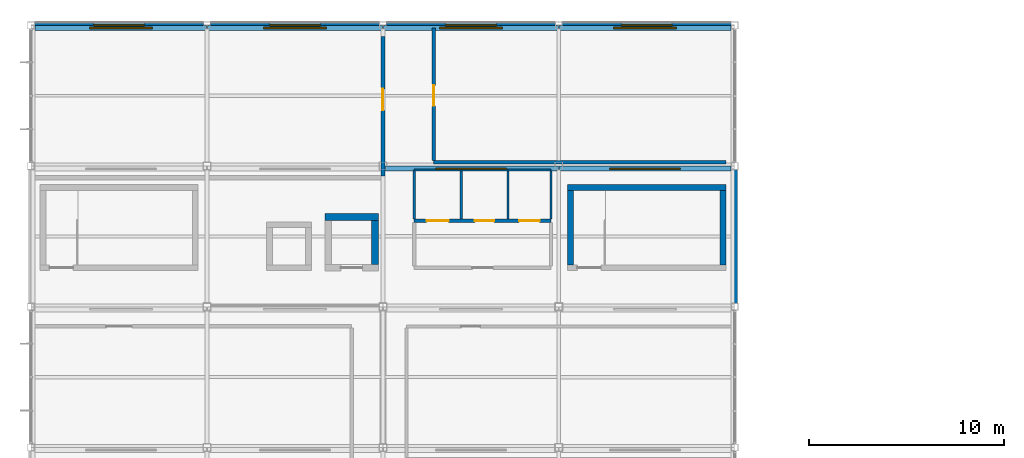
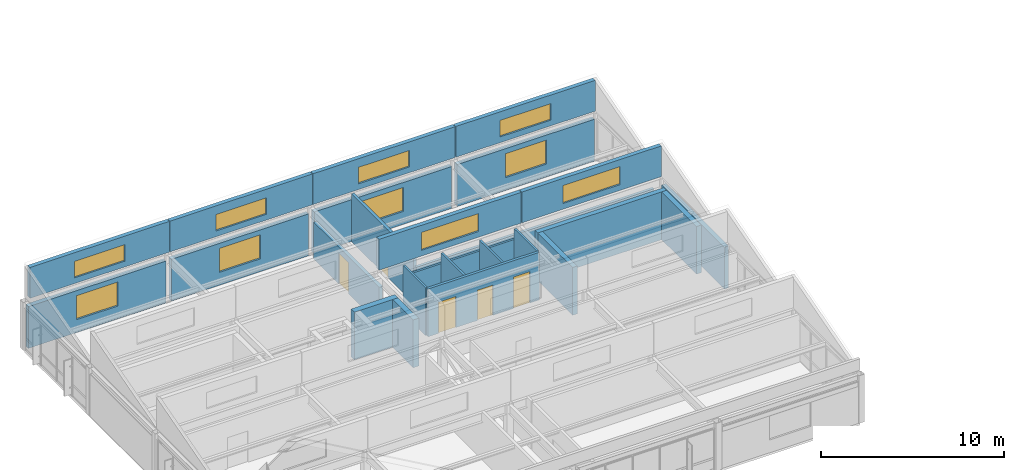
# One storey, part 36 of 43: 27 walls, 10 windows, 5 doors, 15 openings.
"""IFC4 building model written with IfcOpenShell, lengths in metres."""

from ifc_helpers import new_model, si_unit, direction, frame, frame_2d, origin, place, context, subcontext, project, spatial, rectangle, extrude, material, layer, layer_set, type_object, element, fill, save


model = new_model("IFC4")

# Units and contexts
model_context = context("Model", 3, precision=1e-05, world=origin(), true_north=direction((0.0, 1.0)))
body_context = subcontext(model_context, "Body", "Model", "MODEL_VIEW")
ifc_project = project(units=[si_unit("LENGTHUNIT", "METRE"), si_unit("AREAUNIT", "SQUARE_METRE"), si_unit("VOLUMEUNIT", "CUBIC_METRE"), si_unit("PLANEANGLEUNIT", "RADIAN"), si_unit("MASSUNIT", "GRAM", prefix="KILO")], contexts=[model_context])

# Site, building, storey
site_placement = place(None, origin())
site = spatial("IfcSite", under=ifc_project, at=site_placement, CompositionType="ELEMENT")
building_placement = place(site_placement, origin())
building = spatial("IfcBuilding", under=site, at=building_placement, Name="Kazanami Central Library", CompositionType="ELEMENT")
storey_placement = place(building_placement, frame((0.0, 0.0, 20.60009765625)))
storey = spatial("IfcBuildingStorey", under=building, at=storey_placement, Name="L06", CompositionType="ELEMENT", Elevation=20.60009765625)

# Wall, opening, window
ifc_material_1 = material(Name="Concrete Fc36 (36 MPa)", Category="concrete")
ifc_layer_1 = layer(ifc_material_1, 0.179931640625, Name="Concrete Fc36 (36 MPa)")
ifc_material_2 = material(Name="Extruded Polystyrene XPS", Category="earth")
ifc_layer_2 = layer(ifc_material_2, 0.050048828125, Name="Extruded Polystyrene XPS")
ifc_material_3 = material(Name="Honed Inada Granite", Category="masonry")
ifc_layer_3 = layer(ifc_material_3, 0.030029296875, Name="Honed Inada Granite")
ifc_layer_set_1 = layer_set([ifc_layer_1, ifc_layer_2, ifc_layer_3], Name="Concrete Fc36 (36 MPa)")
wall_type_1 = type_object("IfcWallType", Name="WAL-EW-260", PredefinedType="STANDARD", material=ifc_layer_set_1)
wall_1_placement = place(storey_placement, frame((26.97998046875, 86.27001953125, 3.39990234375), z_axis=(0.0, 0.0, 1.0), x_axis=(-1.0, 0.0, 0.0)))
wall_1 = element("IfcWall", 1, at=wall_1_placement, inside=storey, type_object=wall_type_1, Name="North-Light Sawtooth Clerestory Wall SAW-L06-V4-3 Bay 3", PredefinedType="STANDARD", context=body_context, shape_type="SweptSolid", body=[
    extrude(rectangle(XDim=8.9599609375, YDim=0.260009765625, at=frame_2d((4.47998046875, 0.0))), origin(), (0.0, 0.0, 1.0), 2.050048828125),
])
opening_1_placement = place(wall_1_placement, frame((2.679931640625, 0.0, 0.3798828125)))
opening_1 = element("IfcOpeningElement", 2, at=opening_1_placement, cuts=wall_1, Name="Opening WN-CL1", PredefinedType="OPENING", context=body_context, shape_type="SweptSolid", body=[
    extrude(rectangle(XDim=3.60009765625, YDim=1.199951171875, at=frame_2d((1.800048828125, 0.60009765625))), frame((0.0, 0.14208984375, 0.0), z_axis=(0.0, -1.0, 0.0), x_axis=(1.0, 0.0, 0.0)), (0.0, 0.0, 1.0), 0.283935546875),
])
ifc_material_4 = material(Name="Low-E Insulated Triple Glass", Category="glass")
window_type_1 = type_object("IfcWindowType", Name="WIN-WN-CL1", PartitioningType="DOUBLE_PANEL_VERTICAL", PredefinedType="WINDOW", material=ifc_material_4)
window_1_placement = place(opening_1_placement, origin())
window_1 = element("IfcWindow", 3, at=window_1_placement, inside=storey, type_object=window_type_1, Name="North-Light Sawtooth Clerestory Window WN-CL1 SAW-L06-V4-3.3", OverallHeight=1.199951171875, OverallWidth=3.60009765625, PartitioningType="DOUBLE_PANEL_VERTICAL", PredefinedType="WINDOW", context=body_context, shape_type="SweptSolid", body=[
    extrude(rectangle(XDim=3.60009765625, YDim=1.199951171875, at=frame_2d((1.800048828125, 0.60009765625))), frame((0.0, 0.030029296875, 0.0), z_axis=(0.0, -1.0, 0.0), x_axis=(1.0, 0.0, 0.0)), (0.0, 0.0, 1.0), 0.06005859375),
])
fill(opening_1, window_1)

wall_2_placement = place(storey_placement, frame((35.800048828125, 86.27001953125, 3.39990234375), z_axis=(0.0, 0.0, 1.0), x_axis=(-1.0, 0.0, 0.0)))
wall_2 = element("IfcWall", 4, at=wall_2_placement, inside=storey, type_object=wall_type_1, Name="North-Light Sawtooth Clerestory Wall SAW-L06-V4-3 Bay 4", PredefinedType="STANDARD", context=body_context, shape_type="SweptSolid", body=[
    extrude(rectangle(XDim=8.780029296875, YDim=0.260009765625, at=frame_2d((4.39013671875, 0.0))), origin(), (0.0, 0.0, 1.0), 2.050048828125),
])
opening_2_placement = place(wall_2_placement, frame((2.590087890625, 0.0, 0.3798828125)))
opening_2 = element("IfcOpeningElement", 5, at=opening_2_placement, cuts=wall_2, Name="Opening WN-CL1", PredefinedType="OPENING", context=body_context, shape_type="SweptSolid", body=[
    extrude(rectangle(XDim=3.60009765625, YDim=1.199951171875, at=frame_2d((1.800048828125, 0.60009765625))), frame((0.0, 0.14208984375, 0.0), z_axis=(0.0, -1.0, 0.0), x_axis=(1.0, 0.0, 0.0)), (0.0, 0.0, 1.0), 0.283935546875),
])
window_2_placement = place(opening_2_placement, origin())
window_2 = element("IfcWindow", 6, at=window_2_placement, inside=storey, type_object=window_type_1, Name="North-Light Sawtooth Clerestory Window WN-CL1 SAW-L06-V4-3.4", OverallHeight=1.199951171875, OverallWidth=3.60009765625, PartitioningType="DOUBLE_PANEL_VERTICAL", PredefinedType="WINDOW", context=body_context, shape_type="SweptSolid", body=[
    extrude(rectangle(XDim=3.60009765625, YDim=1.199951171875, at=frame_2d((1.800048828125, 0.60009765625))), frame((0.0, 0.030029296875, 0.0), z_axis=(0.0, -1.0, 0.0), x_axis=(1.0, 0.0, 0.0)), (0.0, 0.0, 1.0), 0.06005859375),
])
fill(opening_2, window_2)

wall_3_placement = place(storey_placement, frame((8.97998046875, 93.469970703125, 3.39990234375), z_axis=(0.0, 0.0, 1.0), x_axis=(-1.0, 0.0, 0.0)))
wall_3 = element("IfcWall", 7, at=wall_3_placement, inside=storey, type_object=wall_type_1, Name="North-Light Sawtooth Clerestory Wall SAW-L06-V4-4 Bay 1", PredefinedType="STANDARD", context=body_context, shape_type="SweptSolid", body=[
    extrude(rectangle(XDim=8.780029296875, YDim=0.260009765625, at=frame_2d((4.39013671875, 0.0))), origin(), (0.0, 0.0, 1.0), 2.050048828125),
])
opening_3_placement = place(wall_3_placement, frame((2.7900390625, 0.0, 0.3798828125)))
opening_3 = element("IfcOpeningElement", 8, at=opening_3_placement, cuts=wall_3, Name="Opening WN-CL2", PredefinedType="OPENING", context=body_context, shape_type="SweptSolid", body=[
    extrude(rectangle(XDim=3.199951171875, YDim=1.10009765625, at=frame_2d((1.60009765625, 0.550048828125))), frame((0.0, 0.14208984375, 0.0), z_axis=(0.0, -1.0, 0.0), x_axis=(1.0, 0.0, 0.0)), (0.0, 0.0, 1.0), 0.283935546875),
])
window_type_2 = type_object("IfcWindowType", Name="WIN-WN-CL2", PartitioningType="DOUBLE_PANEL_VERTICAL", PredefinedType="WINDOW", material=ifc_material_4)
window_3_placement = place(opening_3_placement, origin())
window_3 = element("IfcWindow", 9, at=window_3_placement, inside=storey, type_object=window_type_2, Name="North-Light Sawtooth Clerestory Window WN-CL2 SAW-L06-V4-4.1", OverallHeight=1.10009765625, OverallWidth=3.199951171875, PartitioningType="DOUBLE_PANEL_VERTICAL", PredefinedType="WINDOW", context=body_context, shape_type="SweptSolid", body=[
    extrude(rectangle(XDim=3.199951171875, YDim=1.10009765625, at=frame_2d((1.60009765625, 0.550048828125))), frame((0.0, 0.030029296875, 0.0), z_axis=(0.0, -1.0, 0.0), x_axis=(1.0, 0.0, 0.0)), (0.0, 0.0, 1.0), 0.06005859375),
])
fill(opening_3, window_3)

wall_4_placement = place(storey_placement, frame((17.97998046875, 93.469970703125, 3.39990234375), z_axis=(0.0, 0.0, 1.0), x_axis=(-1.0, 0.0, 0.0)))
wall_4 = element("IfcWall", 10, at=wall_4_placement, inside=storey, type_object=wall_type_1, Name="North-Light Sawtooth Clerestory Wall SAW-L06-V4-4 Bay 2", PredefinedType="STANDARD", context=body_context, shape_type="SweptSolid", body=[
    extrude(rectangle(XDim=8.9599609375, YDim=0.260009765625, at=frame_2d((4.47998046875, 0.0))), origin(), (0.0, 0.0, 1.0), 2.050048828125),
])
opening_4_placement = place(wall_4_placement, frame((2.8798828125, 0.0, 0.3798828125)))
opening_4 = element("IfcOpeningElement", 11, at=opening_4_placement, cuts=wall_4, Name="Opening WN-CL2", PredefinedType="OPENING", context=body_context, shape_type="SweptSolid", body=[
    extrude(rectangle(XDim=3.199951171875, YDim=1.10009765625, at=frame_2d((1.60009765625, 0.550048828125))), frame((0.0, 0.14208984375, 0.0), z_axis=(0.0, -1.0, 0.0), x_axis=(1.0, 0.0, 0.0)), (0.0, 0.0, 1.0), 0.283935546875),
])
window_4_placement = place(opening_4_placement, origin())
window_4 = element("IfcWindow", 12, at=window_4_placement, inside=storey, type_object=window_type_2, Name="North-Light Sawtooth Clerestory Window WN-CL2 SAW-L06-V4-4.2", OverallHeight=1.10009765625, OverallWidth=3.199951171875, PartitioningType="DOUBLE_PANEL_VERTICAL", PredefinedType="WINDOW", context=body_context, shape_type="SweptSolid", body=[
    extrude(rectangle(XDim=3.199951171875, YDim=1.10009765625, at=frame_2d((1.60009765625, 0.550048828125))), frame((0.0, 0.030029296875, 0.0), z_axis=(0.0, -1.0, 0.0), x_axis=(1.0, 0.0, 0.0)), (0.0, 0.0, 1.0), 0.06005859375),
])
fill(opening_4, window_4)

wall_5_placement = place(storey_placement, frame((26.97998046875, 93.469970703125, 3.39990234375), z_axis=(0.0, 0.0, 1.0), x_axis=(-1.0, 0.0, 0.0)))
wall_5 = element("IfcWall", 13, at=wall_5_placement, inside=storey, type_object=wall_type_1, Name="North-Light Sawtooth Clerestory Wall SAW-L06-V4-4 Bay 3", PredefinedType="STANDARD", context=body_context, shape_type="SweptSolid", body=[
    extrude(rectangle(XDim=8.9599609375, YDim=0.260009765625, at=frame_2d((4.47998046875, 0.0))), origin(), (0.0, 0.0, 1.0), 2.050048828125),
])
opening_5_placement = place(wall_5_placement, frame((2.8798828125, 0.0, 0.3798828125)))
opening_5 = element("IfcOpeningElement", 14, at=opening_5_placement, cuts=wall_5, Name="Opening WN-CL2", PredefinedType="OPENING", context=body_context, shape_type="SweptSolid", body=[
    extrude(rectangle(XDim=3.199951171875, YDim=1.10009765625, at=frame_2d((1.60009765625, 0.550048828125))), frame((0.0, 0.14208984375, 0.0), z_axis=(0.0, -1.0, 0.0), x_axis=(1.0, 0.0, 0.0)), (0.0, 0.0, 1.0), 0.283935546875),
])
window_5_placement = place(opening_5_placement, origin())
window_5 = element("IfcWindow", 15, at=window_5_placement, inside=storey, type_object=window_type_2, Name="North-Light Sawtooth Clerestory Window WN-CL2 SAW-L06-V4-4.3", OverallHeight=1.10009765625, OverallWidth=3.199951171875, PartitioningType="DOUBLE_PANEL_VERTICAL", PredefinedType="WINDOW", context=body_context, shape_type="SweptSolid", body=[
    extrude(rectangle(XDim=3.199951171875, YDim=1.10009765625, at=frame_2d((1.60009765625, 0.550048828125))), frame((0.0, 0.030029296875, 0.0), z_axis=(0.0, -1.0, 0.0), x_axis=(1.0, 0.0, 0.0)), (0.0, 0.0, 1.0), 0.06005859375),
])
fill(opening_5, window_5)

wall_6_placement = place(storey_placement, frame((35.800048828125, 93.469970703125, 3.39990234375), z_axis=(0.0, 0.0, 1.0), x_axis=(-1.0, 0.0, 0.0)))
wall_6 = element("IfcWall", 16, at=wall_6_placement, inside=storey, type_object=wall_type_1, Name="North-Light Sawtooth Clerestory Wall SAW-L06-V4-4 Bay 4", PredefinedType="STANDARD", context=body_context, shape_type="SweptSolid", body=[
    extrude(rectangle(XDim=8.780029296875, YDim=0.260009765625, at=frame_2d((4.39013671875, 0.0))), origin(), (0.0, 0.0, 1.0), 2.050048828125),
])
opening_6_placement = place(wall_6_placement, frame((2.7900390625, 0.0, 0.3798828125)))
opening_6 = element("IfcOpeningElement", 17, at=opening_6_placement, cuts=wall_6, Name="Opening WN-CL2", PredefinedType="OPENING", context=body_context, shape_type="SweptSolid", body=[
    extrude(rectangle(XDim=3.199951171875, YDim=1.10009765625, at=frame_2d((1.60009765625, 0.550048828125))), frame((0.0, 0.14208984375, 0.0), z_axis=(0.0, -1.0, 0.0), x_axis=(1.0, 0.0, 0.0)), (0.0, 0.0, 1.0), 0.283935546875),
])
window_6_placement = place(opening_6_placement, origin())
window_6 = element("IfcWindow", 18, at=window_6_placement, inside=storey, type_object=window_type_2, Name="North-Light Sawtooth Clerestory Window WN-CL2 SAW-L06-V4-4.4", OverallHeight=1.10009765625, OverallWidth=3.199951171875, PartitioningType="DOUBLE_PANEL_VERTICAL", PredefinedType="WINDOW", context=body_context, shape_type="SweptSolid", body=[
    extrude(rectangle(XDim=3.199951171875, YDim=1.10009765625, at=frame_2d((1.60009765625, 0.550048828125))), frame((0.0, 0.030029296875, 0.0), z_axis=(0.0, -1.0, 0.0), x_axis=(1.0, 0.0, 0.0)), (0.0, 0.0, 1.0), 0.06005859375),
])
fill(opening_6, window_6)

ifc_layer_4 = layer(ifc_material_1, 0.199951171875, Name="Concrete Fc36 (36 MPa)")
ifc_layer_5 = layer(ifc_material_2, 0.050048828125, Name="Extruded Polystyrene XPS")
ifc_layer_6 = layer(ifc_material_3, 0.030029296875, Name="Honed Inada Granite")
ifc_layer_set_2 = layer_set([ifc_layer_4, ifc_layer_5, ifc_layer_6], Name="Concrete Fc36 (36 MPa)")
wall_type_2 = type_object("IfcWallType", Name="WAL-EW-280", PredefinedType="STANDARD", material=ifc_layer_set_2)
wall_7_placement = place(storey_placement, frame((8.824951171875, 93.60009765625, 0.0), z_axis=(0.0, 0.0, 1.0), x_axis=(-1.0, 0.0, 0.0)))
wall_7 = element("IfcWall", 19, at=wall_7_placement, inside=storey, type_object=wall_type_2, Name="Exterior Facade Wall EW-280 L06 N-O-00", PredefinedType="STANDARD", context=body_context, shape_type="SweptSolid", body=[
    extrude(rectangle(XDim=8.64990234375, YDim=0.280029296875, at=frame_2d((4.324951171875, 0.0))), origin(), (0.0, 0.0, 1.0), 2.77978515625),
])
opening_7_placement = place(wall_7_placement, frame((3.02490234375, 0.0, 0.85009765625)))
opening_7 = element("IfcOpeningElement", 20, at=opening_7_placement, cuts=wall_7, Name="Opening WN-13", PredefinedType="OPENING", context=body_context, shape_type="SweptSolid", body=[
    extrude(rectangle(XDim=2.60009765625, YDim=1.60009765625, at=frame_2d((1.300048828125, 0.800048828125))), frame((0.0, 0.15185546875, 0.0), z_axis=(0.0, -1.0, 0.0), x_axis=(1.0, 0.0, 0.0)), (0.0, 0.0, 1.0), 0.303955078125),
])
window_type_3 = type_object("IfcWindowType", Name="WIN-WN-13", PartitioningType="DOUBLE_PANEL_VERTICAL", PredefinedType="WINDOW", material=ifc_material_4)
window_7_placement = place(opening_7_placement, origin())
window_7 = element("IfcWindow", 21, at=window_7_placement, inside=storey, type_object=window_type_3, Name="Facade Window WN-13 L06 N-O-00", OverallHeight=1.60009765625, OverallWidth=2.60009765625, PartitioningType="DOUBLE_PANEL_VERTICAL", PredefinedType="WINDOW", context=body_context, shape_type="SweptSolid", body=[
    extrude(rectangle(XDim=2.60009765625, YDim=1.60009765625, at=frame_2d((1.300048828125, 0.800048828125))), frame((0.0, 0.030029296875, 0.0), z_axis=(0.0, -1.0, 0.0), x_axis=(1.0, 0.0, 0.0)), (0.0, 0.0, 1.0), 0.06005859375),
])
fill(opening_7, window_7)

wall_8_placement = place(storey_placement, frame((17.824951171875, 93.60009765625, 0.0), z_axis=(0.0, 0.0, 1.0), x_axis=(-1.0, 0.0, 0.0)))
wall_8 = element("IfcWall", 22, at=wall_8_placement, inside=storey, type_object=wall_type_2, Name="Exterior Facade Wall EW-280 L06 N-O-01", PredefinedType="STANDARD", context=body_context, shape_type="SweptSolid", body=[
    extrude(rectangle(XDim=8.64990234375, YDim=0.280029296875, at=frame_2d((4.324951171875, 0.0))), origin(), (0.0, 0.0, 1.0), 2.77978515625),
])
opening_8_placement = place(wall_8_placement, frame((3.02490234375, 0.0, 0.85009765625)))
opening_8 = element("IfcOpeningElement", 23, at=opening_8_placement, cuts=wall_8, Name="Opening WN-13", PredefinedType="OPENING", context=body_context, shape_type="SweptSolid", body=[
    extrude(rectangle(XDim=2.60009765625, YDim=1.60009765625, at=frame_2d((1.300048828125, 0.800048828125))), frame((0.0, 0.15185546875, 0.0), z_axis=(0.0, -1.0, 0.0), x_axis=(1.0, 0.0, 0.0)), (0.0, 0.0, 1.0), 0.303955078125),
])
window_8_placement = place(opening_8_placement, origin())
window_8 = element("IfcWindow", 24, at=window_8_placement, inside=storey, type_object=window_type_3, Name="Facade Window WN-13 L06 N-O-01", OverallHeight=1.60009765625, OverallWidth=2.60009765625, PartitioningType="DOUBLE_PANEL_VERTICAL", PredefinedType="WINDOW", context=body_context, shape_type="SweptSolid", body=[
    extrude(rectangle(XDim=2.60009765625, YDim=1.60009765625, at=frame_2d((1.300048828125, 0.800048828125))), frame((0.0, 0.030029296875, 0.0), z_axis=(0.0, -1.0, 0.0), x_axis=(1.0, 0.0, 0.0)), (0.0, 0.0, 1.0), 0.06005859375),
])
fill(opening_8, window_8)

wall_9_placement = place(storey_placement, frame((26.824951171875, 93.60009765625, 0.0), z_axis=(0.0, 0.0, 1.0), x_axis=(-1.0, 0.0, 0.0)))
wall_9 = element("IfcWall", 25, at=wall_9_placement, inside=storey, type_object=wall_type_2, Name="Exterior Facade Wall EW-280 L06 N-O-02", PredefinedType="STANDARD", context=body_context, shape_type="SweptSolid", body=[
    extrude(rectangle(XDim=8.64990234375, YDim=0.280029296875, at=frame_2d((4.324951171875, 0.0))), origin(), (0.0, 0.0, 1.0), 2.77978515625),
])
opening_9_placement = place(wall_9_placement, frame((3.02490234375, 0.0, 0.85009765625)))
opening_9 = element("IfcOpeningElement", 26, at=opening_9_placement, cuts=wall_9, Name="Opening WN-13", PredefinedType="OPENING", context=body_context, shape_type="SweptSolid", body=[
    extrude(rectangle(XDim=2.60009765625, YDim=1.60009765625, at=frame_2d((1.300048828125, 0.800048828125))), frame((0.0, 0.15185546875, 0.0), z_axis=(0.0, -1.0, 0.0), x_axis=(1.0, 0.0, 0.0)), (0.0, 0.0, 1.0), 0.303955078125),
])
window_9_placement = place(opening_9_placement, origin())
window_9 = element("IfcWindow", 27, at=window_9_placement, inside=storey, type_object=window_type_3, Name="Facade Window WN-13 L06 N-O-02", OverallHeight=1.60009765625, OverallWidth=2.60009765625, PartitioningType="DOUBLE_PANEL_VERTICAL", PredefinedType="WINDOW", context=body_context, shape_type="SweptSolid", body=[
    extrude(rectangle(XDim=2.60009765625, YDim=1.60009765625, at=frame_2d((1.300048828125, 0.800048828125))), frame((0.0, 0.030029296875, 0.0), z_axis=(0.0, -1.0, 0.0), x_axis=(1.0, 0.0, 0.0)), (0.0, 0.0, 1.0), 0.06005859375),
])
fill(opening_9, window_9)

wall_10_placement = place(storey_placement, frame((35.824951171875, 93.60009765625, 0.0), z_axis=(0.0, 0.0, 1.0), x_axis=(-1.0, 0.0, 0.0)))
wall_10 = element("IfcWall", 28, at=wall_10_placement, inside=storey, type_object=wall_type_2, Name="Exterior Facade Wall EW-280 L06 N-O-03", PredefinedType="STANDARD", context=body_context, shape_type="SweptSolid", body=[
    extrude(rectangle(XDim=8.64990234375, YDim=0.280029296875, at=frame_2d((4.324951171875, 0.0))), origin(), (0.0, 0.0, 1.0), 2.77978515625),
])
opening_10_placement = place(wall_10_placement, frame((3.02490234375, 0.0, 0.85009765625)))
opening_10 = element("IfcOpeningElement", 29, at=opening_10_placement, cuts=wall_10, Name="Opening WN-13", PredefinedType="OPENING", context=body_context, shape_type="SweptSolid", body=[
    extrude(rectangle(XDim=2.60009765625, YDim=1.60009765625, at=frame_2d((1.300048828125, 0.800048828125))), frame((0.0, 0.15185546875, 0.0), z_axis=(0.0, -1.0, 0.0), x_axis=(1.0, 0.0, 0.0)), (0.0, 0.0, 1.0), 0.303955078125),
])
window_10_placement = place(opening_10_placement, origin())
window_10 = element("IfcWindow", 30, at=window_10_placement, inside=storey, type_object=window_type_3, Name="Facade Window WN-13 L06 N-O-03", OverallHeight=1.60009765625, OverallWidth=2.60009765625, PartitioningType="DOUBLE_PANEL_VERTICAL", PredefinedType="WINDOW", context=body_context, shape_type="SweptSolid", body=[
    extrude(rectangle(XDim=2.60009765625, YDim=1.60009765625, at=frame_2d((1.300048828125, 0.800048828125))), frame((0.0, 0.030029296875, 0.0), z_axis=(0.0, -1.0, 0.0), x_axis=(1.0, 0.0, 0.0)), (0.0, 0.0, 1.0), 0.06005859375),
])
fill(opening_10, window_10)

# Wall
wall_11_placement = place(storey_placement, frame((36.0, 86.22509765625, 0.0), z_axis=(0.0, 0.0, 1.0), x_axis=(0.0, -1.0, 0.0)))
element("IfcWall", 31, at=wall_11_placement, inside=storey, type_object=wall_type_2, Name="Exterior Facade Wall EW-280 L06 E-5-11", PredefinedType="STANDARD", context=body_context, shape_type="SweptSolid", body=[
    extrude(rectangle(XDim=6.85009765625, YDim=0.280029296875, at=frame_2d((3.425048828125, 0.0))), origin(), (0.0, 0.0, 1.0), 2.77978515625),
])

# Wall, openings, doors
ifc_material_5 = material(Name="Fire-Resistant Gypsum Board GB-F", Category="gypsum")
ifc_layer_7 = layer(ifc_material_5, 0.1650390625, Name="Fire-Resistant Gypsum Board GB-F")
ifc_layer_set_3 = layer_set([ifc_layer_7], Name="Fire-Resistant Gypsum Board GB-F")
wall_type_3 = type_object("IfcWallType", Name="WAL-FW-165", PredefinedType="PARTITIONING", material=ifc_layer_set_3)
wall_12_placement = place(storey_placement, frame((19.60009765625, 83.60009765625, 0.0), z_axis=(0.0, 0.0, 1.0), x_axis=(1.0, 0.0, 0.0)))
wall_12 = element("IfcWall", 32, at=wall_12_placement, inside=storey, type_object=wall_type_3, Name="Interior Partition FW-165 L06 WC-V4-LOB (North)", PredefinedType="PARTITIONING", context=body_context, shape_type="SweptSolid", body=[
    extrude(rectangle(XDim=7.0, YDim=0.1650390625, at=frame_2d((3.5, 0.0))), origin(), (0.0, 0.0, 1.0), 3.179931640625),
])
opening_11_placement = place(wall_12_placement, frame((0.639892578125, 0.0, 0.0)))
opening_11 = element("IfcOpeningElement", 33, at=opening_11_placement, cuts=wall_12, Name="Opening FD30-8", PredefinedType="OPENING", context=body_context, shape_type="SweptSolid", body=[
    extrude(rectangle(XDim=1.1201171875, YDim=2.080078125, at=frame_2d((0.56005859375, 1.0400390625))), frame((0.0, 0.094482421875, 0.0), z_axis=(0.0, -1.0, 0.0), x_axis=(1.0, 0.0, 0.0)), (0.0, 0.0, 1.0), 0.18896484375),
])
opening_12_placement = place(wall_12_placement, frame((3.110107421875, 0.0, 0.0)))
opening_12 = element("IfcOpeningElement", 34, at=opening_12_placement, cuts=wall_12, Name="Opening FD30-3", PredefinedType="OPENING", context=body_context, shape_type="SweptSolid", body=[
    extrude(rectangle(XDim=0.97998046875, YDim=2.02001953125, at=frame_2d((0.489990234375, 1.010009765625))), frame((0.0, 0.094482421875, 0.0), z_axis=(0.0, -1.0, 0.0), x_axis=(1.0, 0.0, 0.0)), (0.0, 0.0, 1.0), 0.18896484375),
])
opening_13_placement = place(wall_12_placement, frame((5.375, 0.0, 0.0)))
opening_13 = element("IfcOpeningElement", 35, at=opening_13_placement, cuts=wall_12, Name="Opening FD30-1", PredefinedType="OPENING", context=body_context, shape_type="SweptSolid", body=[
    extrude(rectangle(XDim=1.050048828125, YDim=2.10009765625, at=frame_2d((0.52490234375, 1.050048828125))), frame((0.0, 0.094482421875, 0.0), z_axis=(0.0, -1.0, 0.0), x_axis=(1.0, 0.0, 0.0)), (0.0, 0.0, 1.0), 0.18896484375),
])
ifc_material_6 = material(Name="Cold-Rolled Steel SPCC", Category="steel")
door_type_1 = type_object("IfcDoorType", Name="DOR-FD30-1", OperationType="NOTDEFINED", PredefinedType="DOOR", material=ifc_material_6)
door_1_placement = place(opening_13_placement, origin())
door_1 = element("IfcDoor", 36, at=door_1_placement, inside=storey, type_object=door_type_1, Name="Interior Door FD30-1 L06 WC-V4-ACC", OperationType="SINGLE_SWING_RIGHT", OverallHeight=2.10009765625, OverallWidth=1.050048828125, PredefinedType="DOOR", context=body_context, shape_type="SweptSolid", body=[
    extrude(rectangle(XDim=1.050048828125, YDim=2.10009765625, at=frame_2d((0.52490234375, 1.050048828125))), frame((0.0, 0.02490234375, 0.0), z_axis=(0.0, -1.0, 0.0), x_axis=(1.0, 0.0, 0.0)), (0.0, 0.0, 1.0), 0.050048828125),
])
fill(opening_13, door_1)
door_type_2 = type_object("IfcDoorType", Name="DOR-FD30-3", OperationType="NOTDEFINED", PredefinedType="DOOR", material=ifc_material_6)
door_2_placement = place(opening_12_placement, origin())
door_2 = element("IfcDoor", 37, at=door_2_placement, inside=storey, type_object=door_type_2, Name="Interior Door FD30-3 L06 WC-V4-F", OperationType="SINGLE_SWING_LEFT", OverallHeight=2.02001953125, OverallWidth=0.97998046875, PredefinedType="DOOR", context=body_context, shape_type="SweptSolid", body=[
    extrude(rectangle(XDim=0.97998046875, YDim=2.02001953125, at=frame_2d((0.489990234375, 1.010009765625))), frame((0.0, 0.02490234375, 0.0), z_axis=(0.0, -1.0, 0.0), x_axis=(1.0, 0.0, 0.0)), (0.0, 0.0, 1.0), 0.050048828125),
])
fill(opening_12, door_2)
door_type_3 = type_object("IfcDoorType", Name="DOR-FD30-8", OperationType="NOTDEFINED", PredefinedType="DOOR", material=ifc_material_6)
door_3_placement = place(opening_11_placement, origin())
door_3 = element("IfcDoor", 38, at=door_3_placement, inside=storey, type_object=door_type_3, Name="Interior Door FD30-8 L06 WC-V4-M", OperationType="SINGLE_SWING_RIGHT", OverallHeight=2.080078125, OverallWidth=1.1201171875, PredefinedType="DOOR", context=body_context, shape_type="SweptSolid", body=[
    extrude(rectangle(XDim=1.1201171875, YDim=2.080078125, at=frame_2d((0.56005859375, 1.0400390625))), frame((0.0, 0.02490234375, 0.0), z_axis=(0.0, -1.0, 0.0), x_axis=(1.0, 0.0, 0.0)), (0.0, 0.0, 1.0), 0.050048828125),
])
fill(opening_11, door_3)

# Wall
ifc_layer_8 = layer(ifc_material_5, 0.179931640625, Name="Fire-Resistant Gypsum Board GB-F")
ifc_layer_set_4 = layer_set([ifc_layer_8], Name="Fire-Resistant Gypsum Board GB-F")
wall_type_4 = type_object("IfcWallType", Name="WAL-FW-180", PredefinedType="PARTITIONING", material=ifc_layer_set_4)
wall_13_placement = place(storey_placement, frame((20.60009765625, 86.60009765625, 0.0), z_axis=(0.0, 0.0, 1.0), x_axis=(1.0, 0.0, 0.0)))
element("IfcWall", 39, at=wall_13_placement, inside=storey, type_object=wall_type_4, Name="Interior Partition FW-180 L06 RM-08 (South)", PredefinedType="PARTITIONING", context=body_context, shape_type="SweptSolid", body=[
    extrude(rectangle(XDim=14.94482421875, YDim=0.179931640625, at=frame_2d((7.472412109375, 0.0))), origin(), (0.0, 0.0, 1.0), 2.4599609375),
])

# Wall, opening, door
wall_14_placement = place(storey_placement, frame((20.60009765625, 86.68994140625, 0.0), z_axis=(0.0, 0.0, 1.0), x_axis=(0.0, 1.0, 0.0)))
wall_14 = element("IfcWall", 40, at=wall_14_placement, inside=storey, type_object=wall_type_4, Name="Interior Partition FW-180 L06 RM-08 (West)", PredefinedType="PARTITIONING", context=body_context, shape_type="SweptSolid", body=[
    extrude(rectangle(XDim=6.76513671875, YDim=0.179931640625, at=frame_2d((3.382568359375, 0.0))), origin(), (0.0, 0.0, 1.0), 3.179931640625),
])
opening_14_placement = place(wall_14_placement, frame((2.784912109375, 0.0, 0.0)))
opening_14 = element("IfcOpeningElement", 41, at=opening_14_placement, cuts=wall_14, Name="Opening FD30-1", PredefinedType="OPENING", context=body_context, shape_type="SweptSolid", body=[
    extrude(rectangle(XDim=1.050048828125, YDim=2.10009765625, at=frame_2d((0.52490234375, 1.050048828125))), frame((0.0, 0.10205078125, 0.0), z_axis=(0.0, -1.0, 0.0), x_axis=(1.0, 0.0, 0.0)), (0.0, 0.0, 1.0), 0.203857421875),
])
door_4_placement = place(opening_14_placement, origin())
door_4 = element("IfcDoor", 42, at=door_4_placement, inside=storey, type_object=door_type_1, Name="Interior Door FD30-1 L06 RM-08", OperationType="SINGLE_SWING_LEFT", OverallHeight=2.10009765625, OverallWidth=1.050048828125, PredefinedType="DOOR", context=body_context, shape_type="SweptSolid", body=[
    extrude(rectangle(XDim=1.050048828125, YDim=2.10009765625, at=frame_2d((0.52490234375, 1.050048828125))), frame((0.0, 0.02490234375, 0.0), z_axis=(0.0, -1.0, 0.0), x_axis=(1.0, 0.0, 0.0)), (0.0, 0.0, 1.0), 0.050048828125),
])
fill(opening_14, door_4)

ifc_layer_9 = layer(ifc_material_5, 0.219970703125, Name="Fire-Resistant Gypsum Board GB-F")
ifc_layer_set_5 = layer_set([ifc_layer_9], Name="Fire-Resistant Gypsum Board GB-F")
wall_type_5 = type_object("IfcWallType", Name="WAL-FW-220", PredefinedType="PARTITIONING", material=ifc_layer_set_5)
wall_15_placement = place(storey_placement, frame((18.0, 85.889892578125, 0.0), z_axis=(0.0, 0.0, 1.0), x_axis=(0.0, 1.0, 0.0)))
wall_15 = element("IfcWall", 43, at=wall_15_placement, inside=storey, type_object=wall_type_5, Name="Interior Partition FW-220 L06 RM-07 (East)", PredefinedType="PARTITIONING", context=body_context, shape_type="SweptSolid", body=[
    extrude(rectangle(XDim=7.14501953125, YDim=0.219970703125, at=frame_2d((3.572509765625, 0.0))), origin(), (0.0, 0.0, 1.0), 2.4599609375),
])
opening_15_placement = place(wall_15_placement, frame((3.360107421875, 0.0, 0.0)))
opening_15 = element("IfcOpeningElement", 44, at=opening_15_placement, cuts=wall_15, Name="Opening FD60-3", PredefinedType="OPENING", context=body_context, shape_type="SweptSolid", body=[
    extrude(rectangle(XDim=1.10009765625, YDim=2.080078125, at=frame_2d((0.550048828125, 1.0400390625))), frame((0.0, 0.1220703125, 0.0), z_axis=(0.0, -1.0, 0.0), x_axis=(1.0, 0.0, 0.0)), (0.0, 0.0, 1.0), 0.243896484375),
])
door_type_4 = type_object("IfcDoorType", Name="DOR-FD60-3", OperationType="NOTDEFINED", PredefinedType="DOOR", material=ifc_material_6)
door_5_placement = place(opening_15_placement, origin())
door_5 = element("IfcDoor", 45, at=door_5_placement, inside=storey, type_object=door_type_4, Name="Interior Door FD60-3 L06 RM-07", OperationType="SINGLE_SWING_RIGHT", OverallHeight=2.080078125, OverallWidth=1.10009765625, PredefinedType="DOOR", context=body_context, shape_type="SweptSolid", body=[
    extrude(rectangle(XDim=1.10009765625, YDim=2.080078125, at=frame_2d((0.550048828125, 1.0400390625))), frame((0.0, 0.02490234375, 0.0), z_axis=(0.0, -1.0, 0.0), x_axis=(1.0, 0.0, 0.0)), (0.0, 0.0, 1.0), 0.050048828125),
])
fill(opening_15, door_5)

# Walls
ifc_material_7 = material(Name="Gypsum Plasterboard GB-R", Category="gypsum")
ifc_layer_10 = layer(ifc_material_7, 0.125, Name="Gypsum Plasterboard GB-R")
ifc_layer_set_6 = layer_set([ifc_layer_10], Name="Gypsum Plasterboard GB-R")
wall_type_6 = type_object("IfcWallType", Name="WAL-PW-125", PredefinedType="PARTITIONING", material=ifc_layer_set_6)
wall_16_placement = place(storey_placement, frame((19.60009765625, 86.199951171875, 0.0), z_axis=(0.0, 0.0, 1.0), x_axis=(1.0, 0.0, 0.0)))
element("IfcWall", 46, at=wall_16_placement, inside=storey, type_object=wall_type_6, Name="Interior Partition PW-125 L06 WC-V4-M (North)", PredefinedType="PARTITIONING", context=body_context, shape_type="SweptSolid", body=[
    extrude(rectangle(XDim=2.39990234375, YDim=0.125, at=frame_2d((1.199951171875, 0.0))), origin(), (0.0, 0.0, 1.0), 2.4599609375),
])
for number, where, z_axis, x_axis, name in (
    (47, (19.60009765625, 83.68994140625, 0.0), (0.0, 0.0, 1.0), (0.0, 1.0, 0.0), "Interior Partition PW-125 L06 WC-V4-M (West)"),
    (48, (22.0, 83.68994140625, 0.0), (0.0, 0.0, 1.0), (0.0, 1.0, 0.0), "Interior Partition PW-125 L06 WC-V4-M (East)"),
):
    element("IfcWall", number, at=place(storey_placement, frame(where, z_axis=z_axis, x_axis=x_axis)), inside=storey, type_object=wall_type_6, Name=name, PredefinedType="PARTITIONING", context=body_context, shape_type="SweptSolid", body=[
        extrude(rectangle(XDim=2.447509765625, YDim=0.125, at=frame_2d((1.2236328125, 0.0))), origin(), (0.0, 0.0, 1.0), 3.179931640625),
    ])
wall_17_placement = place(storey_placement, frame((22.0, 86.199951171875, 0.0), z_axis=(0.0, 0.0, 1.0), x_axis=(1.0, 0.0, 0.0)))
element("IfcWall", 49, at=wall_17_placement, inside=storey, type_object=wall_type_6, Name="Interior Partition PW-125 L06 WC-V4-F (North)", PredefinedType="PARTITIONING", context=body_context, shape_type="SweptSolid", body=[
    extrude(rectangle(XDim=2.39990234375, YDim=0.125, at=frame_2d((1.199951171875, 0.0))), origin(), (0.0, 0.0, 1.0), 2.4599609375),
])
wall_18_placement = place(storey_placement, frame((24.39990234375, 83.68994140625, 0.0), z_axis=(0.0, 0.0, 1.0), x_axis=(0.0, 1.0, 0.0)))
element("IfcWall", 50, at=wall_18_placement, inside=storey, type_object=wall_type_6, Name="Interior Partition PW-125 L06 WC-V4-F (East)", PredefinedType="PARTITIONING", context=body_context, shape_type="SweptSolid", body=[
    extrude(rectangle(XDim=2.447509765625, YDim=0.125, at=frame_2d((1.2236328125, 0.0))), origin(), (0.0, 0.0, 1.0), 3.179931640625),
])
wall_19_placement = place(storey_placement, frame((24.39990234375, 86.199951171875, 0.0), z_axis=(0.0, 0.0, 1.0), x_axis=(1.0, 0.0, 0.0)))
element("IfcWall", 51, at=wall_19_placement, inside=storey, type_object=wall_type_6, Name="Interior Partition PW-125 L06 WC-V4-ACC (North)", PredefinedType="PARTITIONING", context=body_context, shape_type="SweptSolid", body=[
    extrude(rectangle(XDim=2.2001953125, YDim=0.125, at=frame_2d((1.10009765625, 0.0))), origin(), (0.0, 0.0, 1.0), 2.4599609375),
])
wall_20_placement = place(storey_placement, frame((26.60009765625, 83.68994140625, 0.0), z_axis=(0.0, 0.0, 1.0), x_axis=(0.0, 1.0, 0.0)))
element("IfcWall", 52, at=wall_20_placement, inside=storey, type_object=wall_type_6, Name="Interior Partition PW-125 L06 WC-V4-ACC (East)", PredefinedType="PARTITIONING", context=body_context, shape_type="SweptSolid", body=[
    extrude(rectangle(XDim=2.447509765625, YDim=0.125, at=frame_2d((1.2236328125, 0.0))), origin(), (0.0, 0.0, 1.0), 3.179931640625),
])
ifc_layer_11 = layer(ifc_material_1, 0.300048828125, Name="Concrete Fc36 (36 MPa)")
ifc_layer_set_7 = layer_set([ifc_layer_11], Name="Concrete Fc36 (36 MPa)")
wall_type_7 = type_object("IfcWallType", Name="WAL-SW-300", PredefinedType="SHEAR", material=ifc_layer_set_7)
wall_21_placement = place(storey_placement, frame((27.449951171875, 85.300048828125, 0.0), z_axis=(0.0, 0.0, 1.0), x_axis=(1.0, 0.0, 0.0)))
element("IfcWall", 53, at=wall_21_placement, inside=storey, type_object=wall_type_7, Name="Stair Core Wall ST-06 North L06", PredefinedType="SHEAR", context=body_context, shape_type="SweptSolid", body=[
    extrude(rectangle(XDim=8.10009765625, YDim=0.300048828125, at=frame_2d((4.050048828125, 0.0))), origin(), (0.0, 0.0, 1.0), 3.179931640625),
])
for number, where, z_axis, x_axis, name in (
    (54, (27.60009765625, 81.35009765625, 0.0), (0.0, 0.0, 1.0), (0.0, 1.0, 0.0), "Stair Core Wall ST-06 West L06"),
    (55, (35.39990234375, 81.35009765625, 0.0), (0.0, 0.0, 1.0), (0.0, 1.0, 0.0), "Stair Core Wall ST-06 East L06"),
):
    element("IfcWall", number, at=place(storey_placement, frame(where, z_axis=z_axis, x_axis=x_axis)), inside=storey, type_object=wall_type_7, Name=name, PredefinedType="SHEAR", context=body_context, shape_type="SweptSolid", body=[
        extrude(rectangle(XDim=3.7998046875, YDim=0.300048828125, at=frame_2d((1.89990234375, 0.0))), origin(), (0.0, 0.0, 1.0), 3.179931640625),
    ])
ifc_layer_12 = layer(ifc_material_1, 0.35009765625, Name="Concrete Fc36 (36 MPa)")
ifc_layer_set_8 = layer_set([ifc_layer_12], Name="Concrete Fc36 (36 MPa)")
wall_type_8 = type_object("IfcWallType", Name="WAL-SW-350", PredefinedType="SHEAR", material=ifc_layer_set_8)
wall_22_placement = place(storey_placement, frame((15.02490234375, 83.800048828125, 0.0), z_axis=(0.0, 0.0, 1.0), x_axis=(1.0, 0.0, 0.0)))
element("IfcWall", 56, at=wall_22_placement, inside=storey, type_object=wall_type_8, Name="Lift Shaft Wall EL-P4 North L06", PredefinedType="SHEAR", context=body_context, shape_type="SweptSolid", body=[
    extrude(rectangle(XDim=2.75, YDim=0.35009765625, at=frame_2d((1.375, 0.0))), origin(), (0.0, 0.0, 1.0), 3.179931640625),
])
wall_23_placement = place(storey_placement, frame((17.60009765625, 81.375, 0.0), z_axis=(0.0, 0.0, 1.0), x_axis=(0.0, 1.0, 0.0)))
element("IfcWall", 57, at=wall_23_placement, inside=storey, type_object=wall_type_8, Name="Lift Shaft Wall EL-P4 East L06", PredefinedType="SHEAR", context=body_context, shape_type="SweptSolid", body=[
    extrude(rectangle(XDim=2.25, YDim=0.35009765625, at=frame_2d((1.125, 0.0))), origin(), (0.0, 0.0, 1.0), 3.179931640625),
])

save(model, "model.ifc")
